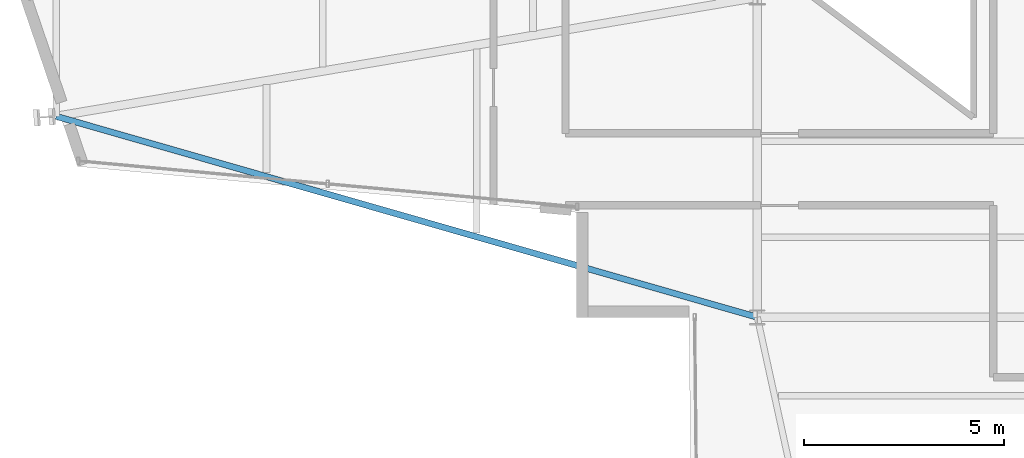
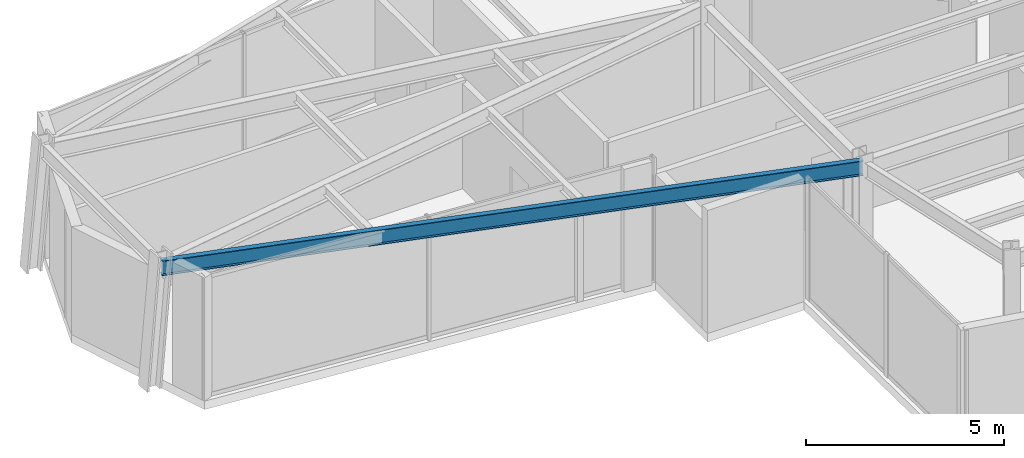
# One storey, part 3 of 21: 1 beam.
"""IFC4 building model written with IfcOpenShell, lengths in metres."""

from ifc_helpers import new_model, si_unit, direction, frame, origin, origin_2d, place, context, subcontext, project, spatial, i_section, extrude, material, material_profile, profile_set, type_object, element, save


model = new_model("IFC4")

# Units and contexts
model_context = context("Model", 3, precision=1e-05, world=origin(), true_north=direction((0.0, 1.0)))
body_context = subcontext(model_context, "Body", "Model", "MODEL_VIEW")
ifc_project = project(units=[si_unit("LENGTHUNIT", "METRE"), si_unit("AREAUNIT", "SQUARE_METRE"), si_unit("VOLUMEUNIT", "CUBIC_METRE"), si_unit("PLANEANGLEUNIT", "RADIAN"), si_unit("MASSUNIT", "GRAM", prefix="KILO")], contexts=[model_context])

# Site, building, storey
site_placement = place(None, origin())
site = spatial("IfcSite", under=ifc_project, at=site_placement, CompositionType="ELEMENT")
building_placement = place(site_placement, origin())
building = spatial("IfcBuilding", under=site, at=building_placement, Name="Veymaron Broadcast Tower", CompositionType="ELEMENT")
storey_placement = place(building_placement, frame((0.0, 0.0, 212.10009765625)))
storey = spatial("IfcBuildingStorey", under=building, at=storey_placement, Name="L49", CompositionType="ELEMENT", Elevation=212.10009765625)

# Beam
ifc_material = material(Name="Structural steel ASTM A992 Gr 50", Category="steel")
ifc_material_profile = material_profile(ifc_material, i_section(OverallWidth=0.154052734375, OverallDepth=0.458984375, WebThickness=0.009033203125, FlangeThickness=0.015380859375, at=origin_2d()), Name="W460X68")
ifc_profile_set = profile_set([ifc_material_profile], Name="Structural steel ASTM A992 Gr 50")
beam_type = type_object("IfcBeamType", Name="BM-SP2", PredefinedType="SPANDREL", material=ifc_profile_set)
beam_placement = place(storey_placement, frame((13.6650390625, 21.02490234375, 3.560302734375), z_axis=(0.961307479344, -0.27547764003, 0.0), x_axis=(0.27547764003, 0.961307479344, 0.0)))
element("IfcBeam", 1, at=beam_placement, inside=storey, type_object=beam_type, Name="L49 primary structural floor girder", PredefinedType="SPANDREL", context=body_context, shape_type="SweptSolid", body=[
    extrude(i_section(OverallWidth=0.154052734375, OverallDepth=0.458984375, WebThickness=0.009033203125, FlangeThickness=0.015380859375, at=origin_2d()), origin(), (0.0, 0.0, 1.0), 18.24072265625),
])

save(model, "model.ifc")
